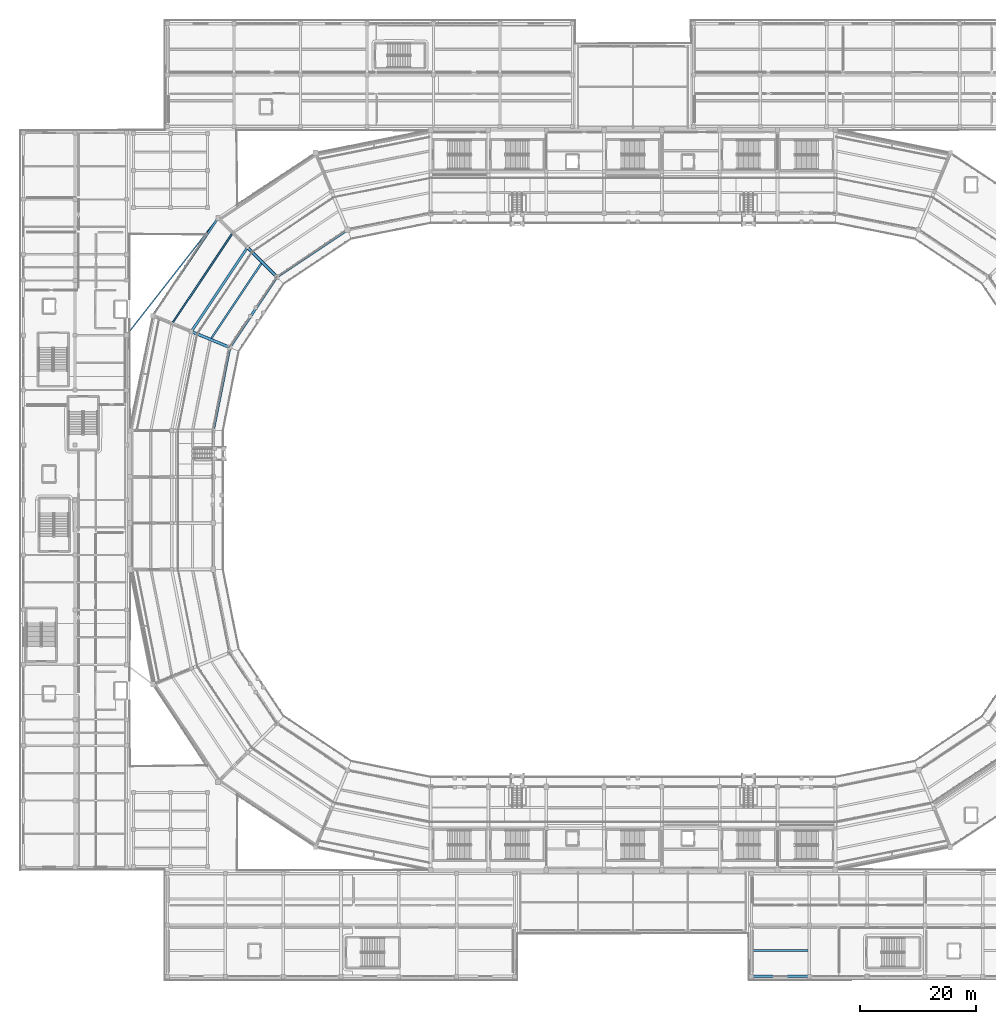
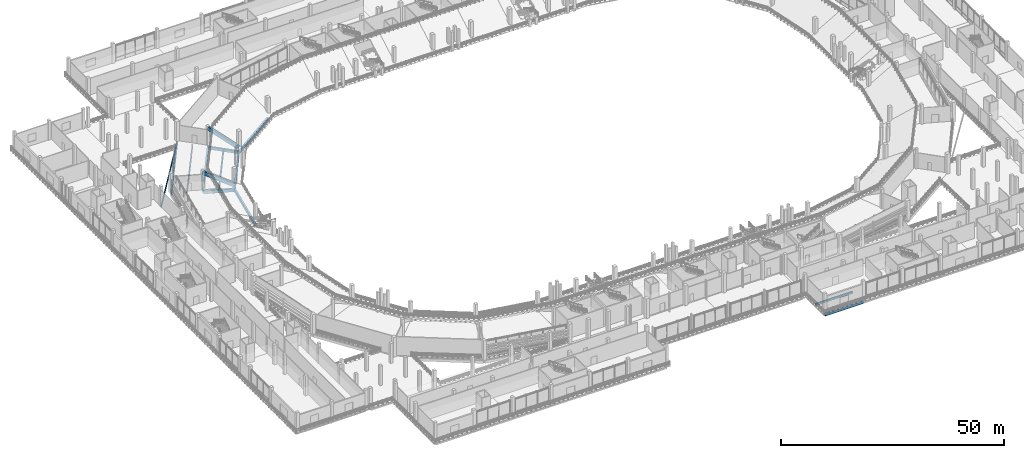
# One storey, part 32 of 127: 14 beams.
"""IFC4 building model written with IfcOpenShell, lengths in metres."""

from ifc_helpers import new_model, si_unit, direction, frame, origin, origin_2d, place, context, subcontext, project, spatial, rectangle, i_section, extrude, material, material_profile, profile_set, type_object, element, save


model = new_model("IFC4")

# Units and contexts
model_context = context("Model", 3, precision=1e-05, world=origin(), true_north=direction((0.0, 1.0)))
body_context = subcontext(model_context, "Body", "Model", "MODEL_VIEW")
ifc_project = project(units=[si_unit("LENGTHUNIT", "METRE"), si_unit("AREAUNIT", "SQUARE_METRE"), si_unit("VOLUMEUNIT", "CUBIC_METRE"), si_unit("PLANEANGLEUNIT", "RADIAN"), si_unit("MASSUNIT", "GRAM", prefix="KILO")], contexts=[model_context])

# Site, building, storey
site_placement = place(None, origin())
site = spatial("IfcSite", under=ifc_project, at=site_placement, CompositionType="ELEMENT")
building_placement = place(site_placement, origin())
building = spatial("IfcBuilding", under=site, at=building_placement, Name="Candeia Ridge Stadium", CompositionType="ELEMENT")
storey_placement = place(building_placement, frame((0.0, 0.0, 10.800048828125)))
storey = spatial("IfcBuildingStorey", under=building, at=storey_placement, Name="L02", CompositionType="ELEMENT", Elevation=10.800048828125)

# Beams
ifc_material_1 = material(Name="Concrete C45/55", Category="concrete")
ifc_material_profile_1 = material_profile(ifc_material_1, rectangle(XDim=0.5, YDim=0.89990234375, at=origin_2d()), Name="RC500x900", Category="concrete")
ifc_profile_set_1 = profile_set([ifc_material_profile_1], Name="Concrete C45/55")
beam_type_1 = type_object("IfcBeamType", Name="Club Stand Raker Beam RC500x900", PredefinedType="USERDEFINED", material=ifc_profile_set_1)
for number, where, z_axis, x_axis, name in (
    (1, (44.412841796875, 121.587158203125, 0.624267578125), (-0.614653767795, 0.614653767795, 0.494369792233), (-0.707106781187, -0.707106781187, 0.0), "Stand T2 inclined concrete raker beam 10"),
    (2, (36.26220703125, 109.388916015625, 0.624267578125), (-0.80308399346, 0.332646014247, 0.494371043502), (-0.382681205745, -0.923880454805, 0.0), "Stand T2 inclined concrete raker beam 11"),
):
    element("IfcBeam", number, at=place(storey_placement, frame(where, z_axis=z_axis, x_axis=x_axis)), inside=storey, type_object=beam_type_1, Name=name, ObjectType="RAKER", PredefinedType="USERDEFINED", context=body_context, shape_type="SweptSolid", body=[
        extrude(rectangle(XDim=0.5, YDim=0.89990234375, at=origin_2d()), origin(), (0.0, 0.0, 1.0), 8.283203125),
    ])
ifc_material_2 = material(Name="Concrete C40/50", Category="concrete")
ifc_material_profile_2 = material_profile(ifc_material_2, rectangle(XDim=0.27001953125, YDim=0.43994140625, at=origin_2d()), Name="RC270x440", Category="concrete")
ifc_profile_set_2 = profile_set([ifc_material_profile_2], Name="Concrete C40/50")
beam_type_2 = type_object("IfcBeamType", Name="Floor Joist RC270x440", PredefinedType="JOIST", material=ifc_profile_set_2)
beam_1_placement = place(storey_placement, frame((36.652587890625, 129.039306640625, -0.47998046875), z_axis=(-0.555573683674, -0.831467306639, 0.0), x_axis=(0.831467306639, -0.555573683674, 0.0)))
element("IfcBeam", 3, at=beam_1_placement, inside=storey, type_object=beam_type_2, Name="Concourse secondary joist BM-L02-0357", PredefinedType="JOIST", context=body_context, shape_type="SweptSolid", body=[
    extrude(rectangle(XDim=0.27001953125, YDim=0.43994140625, at=origin_2d()), origin(), (0.0, 0.0, 1.0), 18.440673828125),
])
ifc_material_profile_3 = material_profile(ifc_material_2, rectangle(XDim=0.320068359375, YDim=0.52001953125, at=origin_2d()), Name="RC320x520", Category="concrete")
ifc_profile_set_3 = profile_set([ifc_material_profile_3], Name="Concrete C40/50")
beam_type_3 = type_object("IfcBeamType", Name="Floor Joist RC320x520", PredefinedType="JOIST", material=ifc_profile_set_3)
beam_2_placement = place(storey_placement, frame((41.743896484375, 123.9482421875, -0.52001953125), z_axis=(-0.555568527312, -0.831470752017, 0.0), x_axis=(0.831470752017, -0.555568527312, 0.0)))
element("IfcBeam", 4, at=beam_2_placement, inside=storey, type_object=beam_type_3, Name="Concourse secondary joist BM-L02-0356", PredefinedType="JOIST", context=body_context, shape_type="SweptSolid", body=[
    extrude(rectangle(XDim=0.320068359375, YDim=0.52001953125, at=origin_2d()), origin(), (0.0, 0.0, 1.0), 15.63134765625),
])
ifc_material_profile_4 = material_profile(ifc_material_2, rectangle(XDim=0.35009765625, YDim=0.5, at=origin_2d()), Name="RC350x500", Category="concrete")
ifc_profile_set_4 = profile_set([ifc_material_profile_4], Name="Concrete C40/50")
beam_type_4 = type_object("IfcBeamType", Name="Floor Joist RC350x500", PredefinedType="JOIST", material=ifc_profile_set_4)
beam_3_placement = place(storey_placement, frame((126.674560546875, 5.050048828125, -0.510009765625), z_axis=(1.0, 0.0, 0.0), x_axis=(0.0, 1.0, 0.0)))
element("IfcBeam", 5, at=beam_3_placement, inside=storey, type_object=beam_type_4, Name="Wing secondary joist BM-L02-2162", PredefinedType="JOIST", context=body_context, shape_type="SweptSolid", body=[
    extrude(rectangle(XDim=0.35009765625, YDim=0.5, at=origin_2d()), origin(), (0.0, 0.0, 1.0), 9.600830078125),
])
ifc_material_profile_5 = material_profile(ifc_material_2, rectangle(XDim=0.409912109375, YDim=0.659912109375, at=origin_2d()), Name="RC410x660", Category="concrete")
ifc_profile_set_5 = profile_set([ifc_material_profile_5], Name="Concrete C40/50")
beam_type_5 = type_object("IfcBeamType", Name="Frame Girder RC410x660", PredefinedType="BEAM", material=ifc_profile_set_5)
beam_4_placement = place(storey_placement, frame((39.232666015625, 126.54541015625, -0.590087890625), z_axis=(-0.555573223542, -0.831467614091, 0.0), x_axis=(0.831467614091, -0.555573223542, 0.0)))
element("IfcBeam", 6, at=beam_4_placement, inside=storey, type_object=beam_type_5, Name="Concourse spine girder BM-L02-0354", PredefinedType="BEAM", context=body_context, shape_type="SweptSolid", body=[
    extrude(rectangle(XDim=0.409912109375, YDim=0.659912109375, at=origin_2d()), origin(), (0.0, 0.0, 1.0), 17.16015625),
])
ifc_material_profile_6 = material_profile(ifc_material_2, rectangle(XDim=0.429931640625, YDim=0.739990234375, at=origin_2d()), Name="RC430x740", Category="concrete")
ifc_profile_set_6 = profile_set([ifc_material_profile_6], Name="Concrete C40/50")
beam_type_6 = type_object("IfcBeamType", Name="Frame Girder RC430x740", PredefinedType="BEAM", material=ifc_profile_set_6)
beam_5_placement = place(storey_placement, frame((44.299560546875, 121.700439453125, -0.630126953125), z_axis=(-0.707106781187, 0.707106781187, 0.0), x_axis=(-0.707106781187, -0.707106781187, 0.0)))
element("IfcBeam", 7, at=beam_5_placement, inside=storey, type_object=beam_type_6, Name="Bowl radial girder BM-L02-0259", PredefinedType="BEAM", context=body_context, shape_type="SweptSolid", body=[
    extrude(rectangle(XDim=0.429931640625, YDim=0.739990234375, at=origin_2d()), origin(), (0.0, 0.0, 1.0), 6.8798828125),
])
ifc_material_profile_7 = material_profile(ifc_material_2, rectangle(XDim=0.43994140625, YDim=0.719970703125, at=origin_2d()), Name="RC440x720", Category="concrete")
ifc_profile_set_7 = profile_set([ifc_material_profile_7], Name="Concrete C40/50")
beam_type_7 = type_object("IfcBeamType", Name="Frame Girder RC440x720", PredefinedType="BEAM", material=ifc_profile_set_7)
for number, where, z_axis, x_axis, name in (
    (8, (56.47802734375, 129.64892578125, -0.6201171875), (-0.831466176057, -0.55557537569, 0.0), (0.55557537569, -0.831466176057, 0.0), "Bowl inner ring girder BM-L02-0348"),
    (9, (44.323974609375, 121.4541015625, -0.6201171875), (-0.55557537569, -0.831466176057, 0.0), (0.831466176057, -0.55557537569, 0.0), "Bowl inner ring girder BM-L02-0353"),
    (10, (36.23095703125, 109.23193359375, -0.6201171875), (-0.195098555341, -0.980783642657, 0.0), (0.980783642657, -0.195098555341, 0.0), "Bowl inner ring girder BM-L02-0358"),
):
    element("IfcBeam", number, at=place(storey_placement, frame(where, z_axis=z_axis, x_axis=x_axis)), inside=storey, type_object=beam_type_7, Name=name, PredefinedType="BEAM", context=body_context, shape_type="SweptSolid", body=[
        extrude(rectangle(XDim=0.43994140625, YDim=0.719970703125, at=origin_2d()), origin(), (0.0, 0.0, 1.0), 14.350830078125),
    ])
ifc_material_profile_8 = material_profile(ifc_material_1, rectangle(XDim=0.47998046875, YDim=0.820068359375, at=origin_2d()), Name="RC480x820", Category="concrete")
ifc_profile_set_8 = profile_set([ifc_material_profile_8], Name="Concrete C45/55")
beam_type_8 = type_object("IfcBeamType", Name="Frame Girder RC480x820", PredefinedType="BEAM", material=ifc_profile_set_8)
beam_6_placement = place(storey_placement, frame((36.1142578125, 109.4501953125, -0.670166015625), z_axis=(-0.923880161031, 0.382681914982, 0.0), x_axis=(-0.382681914982, -0.923880161031, 0.0)))
element("IfcBeam", 11, at=beam_6_placement, inside=storey, type_object=beam_type_8, Name="Bowl radial girder BM-L02-0261", PredefinedType="BEAM", context=body_context, shape_type="SweptSolid", body=[
    extrude(rectangle(XDim=0.47998046875, YDim=0.820068359375, at=origin_2d()), origin(), (0.0, 0.0, 1.0), 6.8798828125),
])
ifc_material_3 = material(Name="Steel ASTM A572 Grade 50", Category="steel")
ifc_material_profile_9 = material_profile(ifc_material_3, i_section(OverallWidth=0.208984375, OverallDepth=0.532958984375, WebThickness=0.01025390625, FlangeThickness=0.015625, FilletRadius=0.013916015625, at=origin_2d()), Name="W530x92", Category="steel")
ifc_profile_set_9 = profile_set([ifc_material_profile_9], Name="Steel ASTM A572 Grade 50")
beam_type_9 = type_object("IfcBeamType", Name="Gate Portal Girder W530x92", PredefinedType="BEAM", material=ifc_profile_set_9)
beam_7_placement = place(storey_placement, frame((18.4306640625, 111.539306640625, -0.556640625), z_axis=(0.615520131568, 0.788121163042, 0.0), x_axis=(-0.788121163042, 0.615520131568, 0.0)))
element("IfcBeam", 12, at=beam_7_placement, inside=storey, type_object=beam_type_9, Name="Wing-to-bowl tie girder BM-L02-2550", PredefinedType="BEAM", context=body_context, shape_type="SweptSolid", body=[
    extrude(i_section(OverallWidth=0.208984375, OverallDepth=0.532958984375, WebThickness=0.01025390625, FlangeThickness=0.015625, FilletRadius=0.013916015625, at=origin_2d()), origin(), (0.0, 0.0, 1.0), 25.619140625),
])
ifc_material_profile_10 = material_profile(ifc_material_1, rectangle(XDim=0.35009765625, YDim=0.75, at=origin_2d()), Name="RC350x750", Category="concrete")
ifc_profile_set_10 = profile_set([ifc_material_profile_10], Name="Concrete C45/55")
beam_type_10 = type_object("IfcBeamType", Name="Spandrel Beam RC350x750", PredefinedType="SPANDREL", material=ifc_profile_set_10)
beam_8_placement = place(storey_placement, frame((34.1416015625, 131.636474609375, -0.635009765625), z_axis=(-0.555571676938, -0.831468647505, 0.0), x_axis=(0.831468647505, -0.555571676938, 0.0)))
element("IfcBeam", 13, at=beam_8_placement, inside=storey, type_object=beam_type_10, Name="Bowl perimeter spandrel BM-L02-0355", PredefinedType="SPANDREL", context=body_context, shape_type="SweptSolid", body=[
    extrude(rectangle(XDim=0.35009765625, YDim=0.75, at=origin_2d()), origin(), (0.0, 0.0, 1.0), 19.969482421875),
])
ifc_material_profile_11 = material_profile(ifc_material_2, rectangle(XDim=0.39990234375, YDim=0.64990234375, at=origin_2d()), Name="RC400x650", Category="concrete")
ifc_profile_set_11 = profile_set([ifc_material_profile_11], Name="Concrete C40/50")
beam_type_11 = type_object("IfcBeamType", Name="Wing Primary Girder RC400x650", PredefinedType="BEAM", material=ifc_profile_set_11)
beam_9_placement = place(storey_placement, frame((126.550048828125, 0.60009765625, -0.5849609375), z_axis=(1.0, 0.0, 0.0), x_axis=(0.0, 1.0, 0.0)))
element("IfcBeam", 14, at=beam_9_placement, inside=storey, type_object=beam_type_11, Name="Structural girder BM-L02-2161", PredefinedType="BEAM", context=body_context, shape_type="SweptSolid", body=[
    extrude(rectangle(XDim=0.39990234375, YDim=0.64990234375, at=origin_2d()), origin(), (0.0, 0.0, 1.0), 9.89990234375),
])

save(model, "model.ifc")
